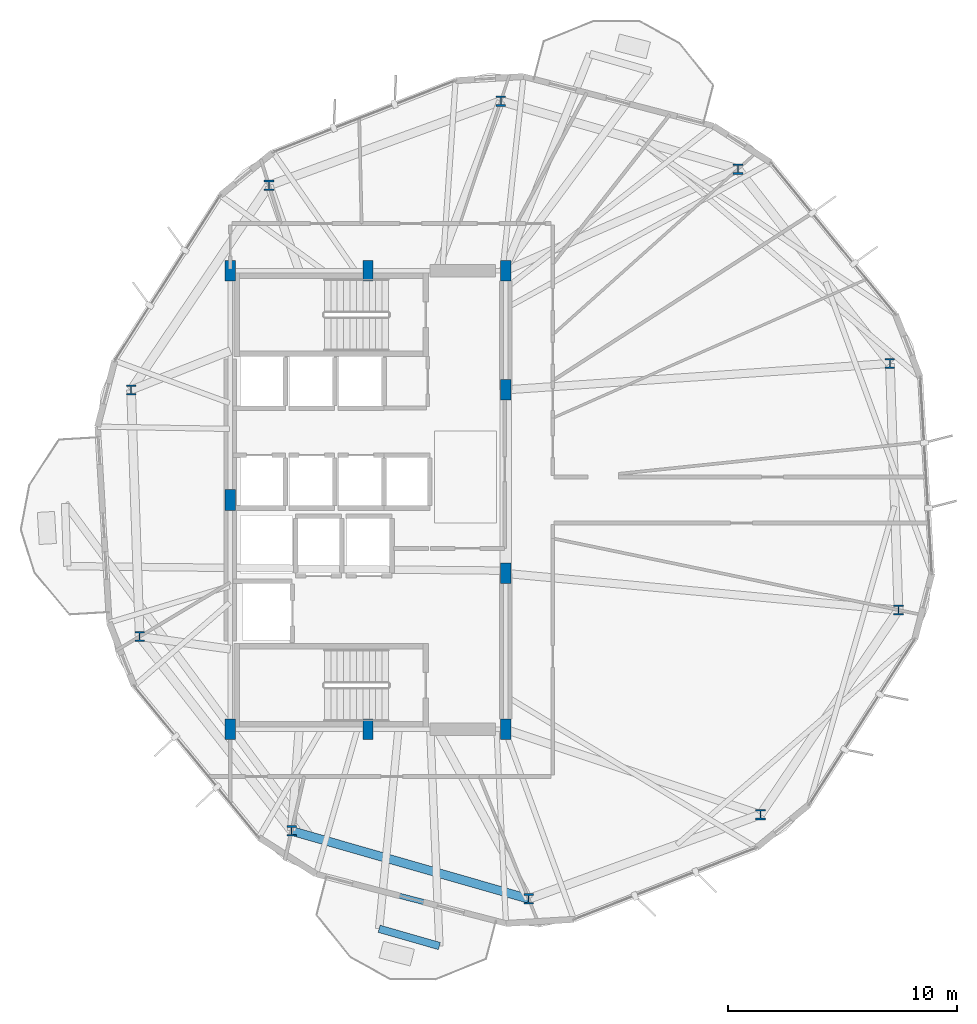
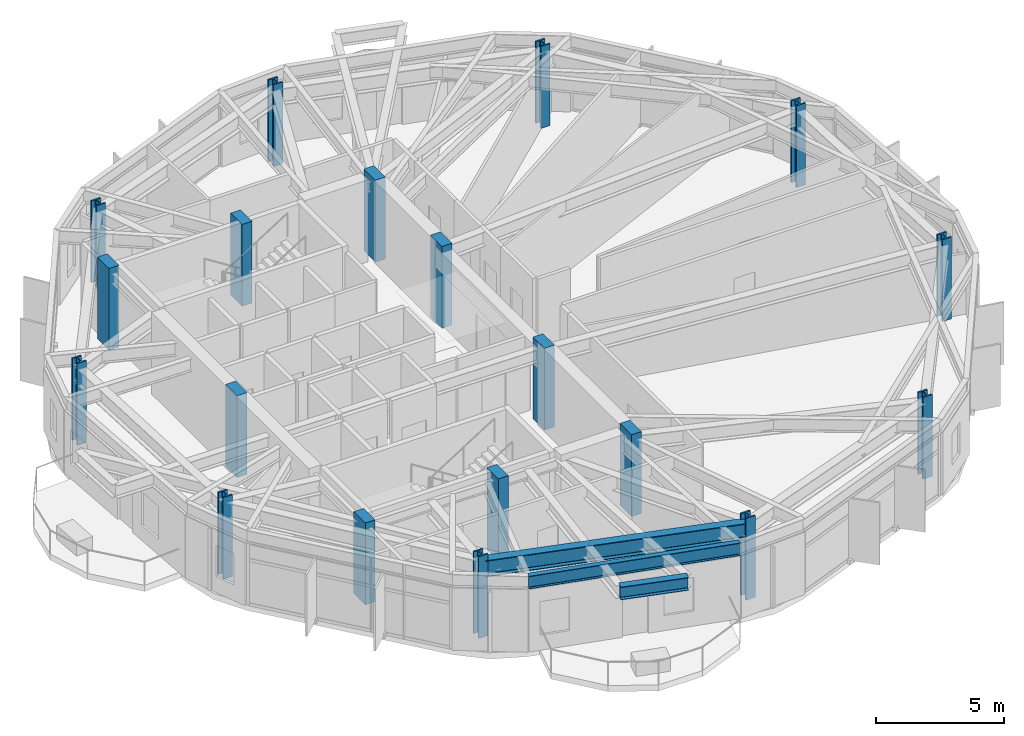
# One storey, part 1 of 22: 19 columns, 3 beams.
"""IFC4 building model written with IfcOpenShell, lengths in metres."""

import ifcopenshell
import ifcopenshell.guid

model = None  # the IFC model being written
_history = None  # IfcOwnerHistory: only IFC2X3 demands one
_inside = {}  # id of a spatial element -> (the spatial element, [elements in it])
_under = {}  # id of a project, library or spatial element -> (it, [spatial elements below it])
_declared = {}  # id of a project -> (the project, [libraries it declares])
_typed = {}  # id of a type object -> (the type object, [elements of that type])
_made_of = {}  # id of a material, layer set ... -> (it, [elements and type objects made of it])


def new_model(schema):
    """Start an empty IFC model of exactly this schema.

    Asked for "IFC4X3", IfcOpenShell would pick the latest addendum, in which some entities
    have other attributes; the version numbers below select the first issue.
    IFC2X3 requires an IfcOwnerHistory on every rooted entity: one is made here for all.
    """
    global model, _history
    if schema == "IFC4X3":
        model = ifcopenshell.file(schema_version=(4, 3, 0, 0))
    else:
        model = ifcopenshell.file(schema=schema)
    _inside.clear()
    _under.clear()
    _declared.clear()
    _typed.clear()
    _made_of.clear()
    _history = None
    if model.schema == "IFC2X3":
        org = make("IfcOrganization", Name="unknown")
        user = make(
            "IfcPersonAndOrganization",
            ThePerson=make("IfcPerson", FamilyName="unknown"),
            TheOrganization=org,
        )
        app = make(
            "IfcApplication",
            ApplicationDeveloper=org,
            Version="unknown",
            ApplicationFullName="unknown",
            ApplicationIdentifier="unknown",
        )
        _history = make(
            "IfcOwnerHistory",
            OwningUser=user,
            OwningApplication=app,
            ChangeAction="ADDED",
            CreationDate=0,
        )
    return model


def make(cls, **values):
    """One entity of the class cls with the attributes given. An attribute that is None is left unset."""
    return model.create_entity(
        cls, **{name: value for name, value in values.items() if value is not None}
    )


def rooted(cls, **values):
    """An entity with a GlobalId (a new one), such as an element, a storey or a relation."""
    return make(cls, GlobalId=ifcopenshell.guid.new(), OwnerHistory=_history, **values)


def si_unit(unit_type, name, prefix=None):
    """IfcSIUnit, for example si_unit("LENGTHUNIT", "METRE", prefix="MILLI")."""
    return make("IfcSIUnit", UnitType=unit_type, Prefix=prefix, Name=name)


def assignment(units):
    """IfcUnitAssignment: the units of a project."""
    return None if units is None else make("IfcUnitAssignment", Units=units)


def point(xyz):
    """IfcCartesianPoint."""
    return None if xyz is None else make("IfcCartesianPoint", Coordinates=xyz)


def direction(xyz):
    """IfcDirection."""
    return None if xyz is None else make("IfcDirection", DirectionRatios=xyz)


def frame(location, z_axis=None, x_axis=None):
    """IfcAxis2Placement3D, a coordinate frame: its origin and axes. An axis left out is left unset."""
    return make(
        "IfcAxis2Placement3D",
        Location=point(location),
        Axis=direction(z_axis),
        RefDirection=direction(x_axis),
    )


def frame_2d(location, x_axis=None):
    """IfcAxis2Placement2D, a coordinate frame in the plane: its origin and x axis."""
    return make(
        "IfcAxis2Placement2D", Location=point(location), RefDirection=direction(x_axis)
    )


def origin():
    """The frame at (0, 0, 0) with its axes left unset."""
    return frame((0.0, 0.0, 0.0))


def origin_2d():
    """The frame at (0, 0) in the plane with its x axis left unset."""
    return frame_2d((0.0, 0.0))


def place(relative_to, where):
    """IfcLocalPlacement: puts the frame where relative to a parent placement (None: the world)."""
    return make(
        "IfcLocalPlacement", PlacementRelTo=relative_to, RelativePlacement=where
    )


def context(
    kind, dimensions, precision=None, world=None, true_north=None, identifier=None
):
    """IfcGeometricRepresentationContext, for example the 3D "Model" context."""
    return make(
        "IfcGeometricRepresentationContext",
        ContextIdentifier=identifier,
        ContextType=kind,
        CoordinateSpaceDimension=dimensions,
        Precision=precision,
        WorldCoordinateSystem=world,
        TrueNorth=true_north,
    )


def subcontext(parent, identifier, kind, view, scale=None):
    """IfcGeometricRepresentationSubContext, for example "Body" below "Model"."""
    return make(
        "IfcGeometricRepresentationSubContext",
        ContextIdentifier=identifier,
        ContextType=kind,
        ParentContext=parent,
        TargetScale=scale,
        TargetView=view,
    )


def project(units=None, contexts=None):
    """IfcProject with its units and contexts."""
    return rooted(
        "IfcProject",
        Name="project",
        RepresentationContexts=contexts,
        UnitsInContext=assignment(units),
    )


def spatial(cls, under=None, at=None, **own):
    """A site, building, storey or space (cls), placed at a placement, below another one or the project."""
    s = rooted(cls, ObjectPlacement=at, **own)
    if under is not None:
        _under.setdefault(under.id(), (under, []))[1].append(s)
    return s


def profile(cls, at=None, kind="AREA", **sizes):
    """A parametric profile (cls). Its sizes go by their IFC names, for example OverallWidth=200.0."""
    return make(cls, ProfileType=kind, Position=at, **sizes)


def rectangle(**sizes):
    """IfcRectangleProfileDef."""
    return profile("IfcRectangleProfileDef", **sizes)


def i_section(**sizes):
    """IfcIShapeProfileDef."""
    return profile("IfcIShapeProfileDef", **sizes)


def extrude(swept, where, along, depth):
    """IfcExtrudedAreaSolid: the profile swept, set in the frame where, extruded along a direction by depth."""
    return make(
        "IfcExtrudedAreaSolid",
        SweptArea=swept,
        Position=where,
        ExtrudedDirection=direction(along),
        Depth=depth,
    )


def shape(context_of_items, identifier, shape_type, items):
    """IfcShapeRepresentation: the items that make up one representation, for example the "Body"."""
    return make(
        "IfcShapeRepresentation",
        ContextOfItems=context_of_items,
        RepresentationIdentifier=identifier,
        RepresentationType=shape_type,
        Items=items,
    )


def material(Name=None, Category=None):
    """IfcMaterial."""
    return make("IfcMaterial", Name=Name, Category=Category)


def material_profile(
    of_material, cross_section, Name=None, Category=None, Priority=None
):
    """IfcMaterialProfile: a cross section and its material."""
    return make(
        "IfcMaterialProfile",
        Name=Name,
        Material=of_material,
        Profile=cross_section,
        Priority=Priority,
        Category=Category,
    )


def profile_set(profiles, Name=None, composite=None):
    """IfcMaterialProfileSet."""
    return make(
        "IfcMaterialProfileSet",
        Name=Name,
        MaterialProfiles=profiles,
        CompositeProfile=composite,
    )


def made_of(thing, what):
    """Note that an element or type object is made of a material, layer set ...; save() writes the relation."""
    if what is not None:
        _made_of.setdefault(what.id(), (what, []))[1].append(thing)
    return thing


def type_object(cls, material=None, **own):
    """A type object (cls), such as IfcWallType, which elements share."""
    return made_of(rooted(cls, **own), material)


def element(
    cls,
    number,
    at=None,
    inside=None,
    cuts=None,
    type_object=None,
    material=None,
    context=None,
    identifier="Body",
    shape_type=None,
    held_by="IfcProductDefinitionShape",
    body=None,
    shapes=None,
    **own,
):
    """One element of the class cls, such as IfcWall. Its Tag is "e" and its number.

    at: its placement. inside: the storey or other place that contains it. cuts: it is an
    opening in that element (IfcRelVoidsElement). A single representation is given by context,
    identifier, shape_type and body (its items); several are given by shapes. held_by: the class
    of the entity that holds the representations. save() writes the other relations.
    """
    e = rooted(cls, Tag="e%d" % number, ObjectPlacement=at, **own)
    if body is not None:
        shapes = [shape(context, identifier, shape_type, body)]
    if shapes is not None:
        e.Representation = make(held_by, Representations=shapes)
    if inside is not None:
        _inside.setdefault(inside.id(), (inside, []))[1].append(e)
    if cuts is not None:
        rooted(
            "IfcRelVoidsElement", RelatingBuildingElement=cuts, RelatedOpeningElement=e
        )
    if type_object is not None:
        _typed.setdefault(type_object.id(), (type_object, []))[1].append(e)
    return made_of(e, material)


def aggregate(whole, parts):
    """IfcRelAggregates: a whole, such as a stair, and the parts it consists of."""
    return rooted("IfcRelAggregates", RelatingObject=whole, RelatedObjects=parts)


def save(model, path):
    """Write the relations noted so far, then the file.

    IfcRelAggregates (storeys below a building ...), IfcRelContainedInSpatialStructure (elements
    in a storey), IfcRelDefinesByType, IfcRelAssociatesMaterial and IfcRelDeclares: one each for
    every whole, place, type object, material and project.
    """
    for whole, parts in _under.values():
        aggregate(whole, parts)
    for where, things in _inside.values():
        rooted(
            "IfcRelContainedInSpatialStructure",
            RelatedElements=things,
            RelatingStructure=where,
        )
    for kind, things in _typed.values():
        rooted("IfcRelDefinesByType", RelatedObjects=things, RelatingType=kind)
    for what, things in _made_of.values():
        rooted("IfcRelAssociatesMaterial", RelatedObjects=things, RelatingMaterial=what)
    for by, libraries in _declared.values():
        rooted("IfcRelDeclares", RelatingContext=by, RelatedDefinitions=libraries)
    model.write(path)


model = new_model("IFC4")

# Units and contexts
model_context = context("Model", 3, precision=1e-05, world=origin(), true_north=direction((0.0, 1.0)))
body_context = subcontext(model_context, "Body", "Model", "MODEL_VIEW")
ifc_project = project(units=[si_unit("LENGTHUNIT", "METRE"), si_unit("AREAUNIT", "SQUARE_METRE"), si_unit("VOLUMEUNIT", "CUBIC_METRE"), si_unit("PLANEANGLEUNIT", "RADIAN"), si_unit("MASSUNIT", "GRAM", prefix="KILO")], contexts=[model_context])

# Site, building, storey
site_placement = place(None, origin())
site = spatial("IfcSite", under=ifc_project, at=site_placement, CompositionType="ELEMENT")
building_placement = place(site_placement, origin())
building = spatial("IfcBuilding", under=site, at=building_placement, Name="Soratama Intermodal Tower", CompositionType="ELEMENT")
storey_placement = place(building_placement, frame((0.0, 0.0, 110.800048828125)))
storey = spatial("IfcBuildingStorey", under=building, at=storey_placement, Name="L26", CompositionType="ELEMENT", Elevation=110.800048828125)

# Columns
ifc_material_1 = material(Name="Structural steel ASTM A992 Grade 50", Category="steel")
ifc_material_profile_1 = material_profile(ifc_material_1, i_section(OverallWidth=0.41796875, OverallDepth=0.455078125, WebThickness=0.0419921875, FlangeThickness=0.067626953125, FilletRadius=0.0380859375, at=origin_2d()), Name="W14X370")
ifc_profile_set_1 = profile_set([ifc_material_profile_1], Name="Structural steel ASTM A992 Grade 50")
column_type_1 = type_object("IfcColumnType", Name="COL-ZB-W14X370", PredefinedType="COLUMN", material=ifc_profile_set_1)
for number, where, z_axis, x_axis, name in (
    (1, (61.3505859375, 30.951171875, 0.0), (0.0, 0.0, 1.0), (1.0, 0.0, 0.0), "L26 Tower Ring Column R01"),
    (2, (54.72998046875, 39.42529296875, 0.0), (0.0, 0.0, 1.0), (1.0, 0.0, 0.0), "L26 Tower Ring Column R02"),
    (3, (44.392578125, 42.389404296875, 0.0), (0.0, 0.0, 1.0), (1.0, 0.0, 0.0), "L26 Tower Ring Column R03"),
    (4, (34.28759765625, 38.71142578125, 0.0), (0.0, 0.0, 1.0), (1.0, 0.0, 0.0), "L26 Tower Ring Column R04"),
    (5, (28.27392578125, 29.796142578125, 0.0), (0.0, 0.0, 1.0), (1.0, 0.0, 0.0), "L26 Tower Ring Column R05"),
    (6, (28.6494140625, 19.048828125, 0.0), (0.0, 0.0, 1.0), (1.0, 0.0, 0.0), "L26 Tower Ring Column R06"),
    (7, (35.27001953125, 10.57470703125, 0.0), (0.0, 0.0, 1.0), (1.0, 0.0, 0.0), "L26 Tower Ring Column R07"),
    (8, (45.607421875, 7.610595703125, 0.0), (0.0, 0.0, 1.0), (1.0, 0.0, 0.0), "L26 Tower Ring Column R08"),
    (9, (55.71240234375, 11.28857421875, 0.0), (0.0, 0.0, 1.0), (1.0, 0.0, 0.0), "L26 Tower Ring Column R09"),
    (10, (61.72607421875, 20.203857421875, 0.0), (0.0, 0.0, 1.0), (1.0, 0.0, 0.0), "L26 Tower Ring Column R10"),
):
    element("IfcColumn", number, at=place(storey_placement, frame(where, z_axis=z_axis, x_axis=x_axis)), inside=storey, type_object=column_type_1, Name=name, PredefinedType="COLUMN", context=body_context, shape_type="SweptSolid", body=[
        extrude(i_section(OverallWidth=0.41796875, OverallDepth=0.455078125, WebThickness=0.0419921875, FlangeThickness=0.067626953125, FilletRadius=0.0380859375, at=origin_2d()), origin(), (0.0, 0.0, 1.0), 3.89990234375),
    ])
ifc_material_2 = material(Name="Concrete f'c 56 MPa", Category="concrete")
ifc_material_profile_2 = material_profile(ifc_material_2, rectangle(XDim=0.449951171875, YDim=0.89990234375, at=origin_2d()), Name="RC450X900")
ifc_profile_set_2 = profile_set([ifc_material_profile_2], Name="Concrete f'c 56 MPa")
column_type_2 = type_object("IfcColumnType", Name="PIL-CORE-450X900", PredefinedType="PILASTER", material=ifc_profile_set_2)
for number, where, z_axis, x_axis, name in (
    (11, (32.60009765625, 15.0, 0.0), (0.0, 0.0, 1.0), (1.0, 0.0, 0.0), "L26 Core Pilaster 1"),
    (12, (32.60009765625, 25.0, 0.0), (0.0, 0.0, 1.0), (1.0, 0.0, 0.0), "L26 Core Pilaster 2"),
    (13, (32.60009765625, 35.0, 0.0), (0.0, 0.0, 1.0), (1.0, 0.0, 0.0), "L26 Core Pilaster 3"),
    (14, (38.60009765625, 15.0, 0.0), (0.0, 0.0, 1.0), (1.0, 0.0, 0.0), "L26 Core Pilaster 4"),
    (15, (38.60009765625, 35.0, 0.0), (0.0, 0.0, 1.0), (1.0, 0.0, 0.0), "L26 Core Pilaster 5"),
    (16, (44.60009765625, 15.0, 0.0), (0.0, 0.0, 1.0), (1.0, 0.0, 0.0), "L26 Core Pilaster 6"),
    (17, (44.60009765625, 21.800048828125, 0.0), (0.0, 0.0, 1.0), (1.0, 0.0, 0.0), "L26 Core Pilaster 7"),
    (18, (44.60009765625, 29.800048828125, 0.0), (0.0, 0.0, 1.0), (1.0, 0.0, 0.0), "L26 Core Pilaster 8"),
    (19, (44.60009765625, 35.0, 0.0), (0.0, 0.0, 1.0), (1.0, 0.0, 0.0), "L26 Core Pilaster 9"),
):
    element("IfcColumn", number, at=place(storey_placement, frame(where, z_axis=z_axis, x_axis=x_axis)), inside=storey, type_object=column_type_2, Name=name, PredefinedType="PILASTER", context=body_context, shape_type="SweptSolid", body=[
        extrude(rectangle(XDim=0.449951171875, YDim=0.89990234375, at=origin_2d()), origin(), (0.0, 0.0, 1.0), 3.89990234375),
    ])

# Beams
ifc_material_3 = material(Name="Structural steel ASTM A992 Grade 50", Category="steel")
ifc_material_profile_3 = material_profile(ifc_material_3, i_section(OverallWidth=0.324951171875, OverallDepth=0.615966796875, WebThickness=0.013916015625, FlangeThickness=0.021484375, FilletRadius=0.013916015625, at=origin_2d()), Name="W24X117")
ifc_profile_set_3 = profile_set([ifc_material_profile_3], Name="Structural steel ASTM A992 Grade 50")
beam_type_1 = type_object("IfcBeamType", Name="BM-CANT-W24X117", PredefinedType="BEAM", material=ifc_profile_set_3)
beam_1_placement = place(storey_placement, frame((39.0869140625, 6.30908203125, 3.2919921875), z_axis=(0.961237120959, -0.275723044539, 0.0), x_axis=(0.275723044539, 0.961237120959, 0.0)))
element("IfcBeam", 20, at=beam_1_placement, inside=storey, type_object=beam_type_1, Name="BM-L26-CBHDR-3", PredefinedType="BEAM", context=body_context, shape_type="SweptSolid", body=[
    extrude(i_section(OverallWidth=0.324951171875, OverallDepth=0.615966796875, WebThickness=0.013916015625, FlangeThickness=0.021484375, FilletRadius=0.013916015625, at=origin_2d()), origin(), (0.0, 0.0, 1.0), 2.735107421875),
])
ifc_material_4 = material(Name="Structural steel ASTM A992 Grade 50", Category="steel")
ifc_material_profile_4 = material_profile(ifc_material_4, i_section(OverallWidth=0.382080078125, OverallDepth=0.779052734375, WebThickness=0.01806640625, FlangeThickness=0.030029296875, FilletRadius=0.01806640625, at=origin_2d()), Name="W30X191")
ifc_profile_set_4 = profile_set([ifc_material_profile_4], Name="Structural steel ASTM A992 Grade 50")
beam_type_2 = type_object("IfcBeamType", Name="BM-RING-W30X191", PredefinedType="BEAM", material=ifc_profile_set_4)
beam_2_placement = place(storey_placement, frame((35.27001953125, 10.574951171875, 3.21044921875), z_axis=(0.961266505995, -0.275620580604, 0.0), x_axis=(0.275620580604, 0.961266505995, 0.0)))
element("IfcBeam", 21, at=beam_2_placement, inside=storey, type_object=beam_type_2, Name="BM-L26-RING-07", PredefinedType="BEAM", context=body_context, shape_type="SweptSolid", body=[
    extrude(i_section(OverallWidth=0.382080078125, OverallDepth=0.779052734375, WebThickness=0.01806640625, FlangeThickness=0.030029296875, FilletRadius=0.01806640625, at=origin_2d()), origin(), (0.0, 0.0, 1.0), 10.75341796875),
])
ifc_material_5 = material(Name="Structural steel ASTM A992 Grade 50", Category="steel")
ifc_material_profile_5 = material_profile(ifc_material_5, i_section(OverallWidth=0.22900390625, OverallDepth=0.612060546875, WebThickness=0.011962890625, FlangeThickness=0.01953125, FilletRadius=0.012939453125, at=origin_2d()), Name="W24X84")
ifc_profile_set_5 = profile_set([ifc_material_profile_5], Name="Structural steel ASTM A992 Grade 50")
beam_type_3 = type_object("IfcBeamType", Name="BM-SPN-W24X84", PredefinedType="SPANDREL", material=ifc_profile_set_5)
beam_3_placement = place(storey_placement, frame((36.340087890625, 8.693115234375, 3.2939453125), z_axis=(0.967791353594, -0.2517536413, 0.0), x_axis=(0.2517536413, 0.967791353594, 0.0)))
element("IfcBeam", 22, at=beam_3_placement, inside=storey, type_object=beam_type_3, Name="BS-L26-F07", PredefinedType="SPANDREL", context=body_context, shape_type="SweptSolid", body=[
    extrude(i_section(OverallWidth=0.22900390625, OverallDepth=0.612060546875, WebThickness=0.011962890625, FlangeThickness=0.01953125, FilletRadius=0.012939453125, at=origin_2d()), origin(), (0.0, 0.0, 1.0), 8.55224609375),
])

save(model, "model.ifc")
